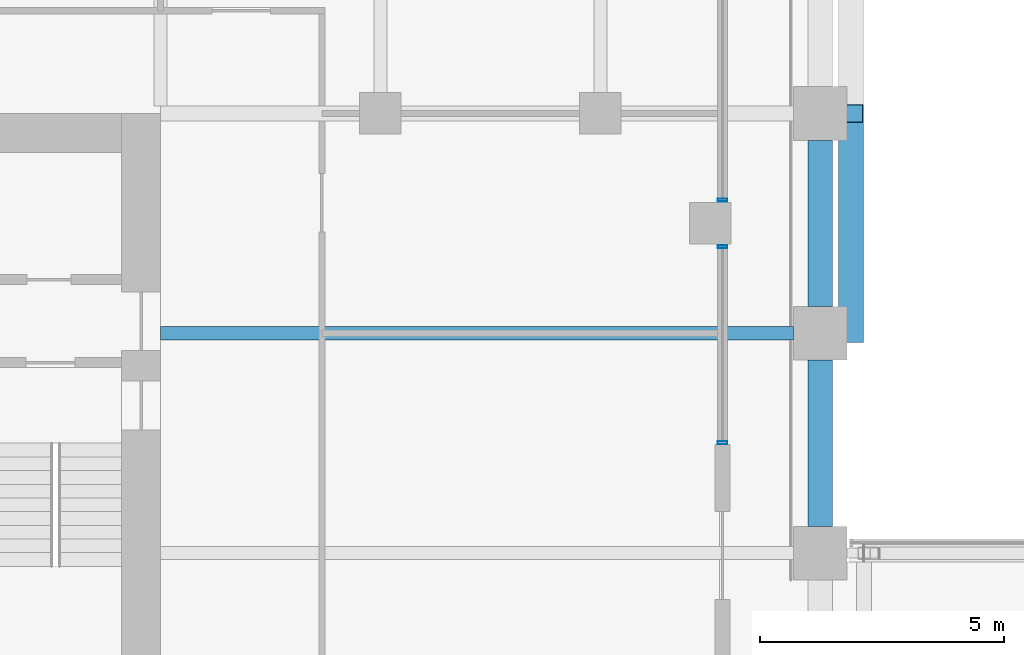
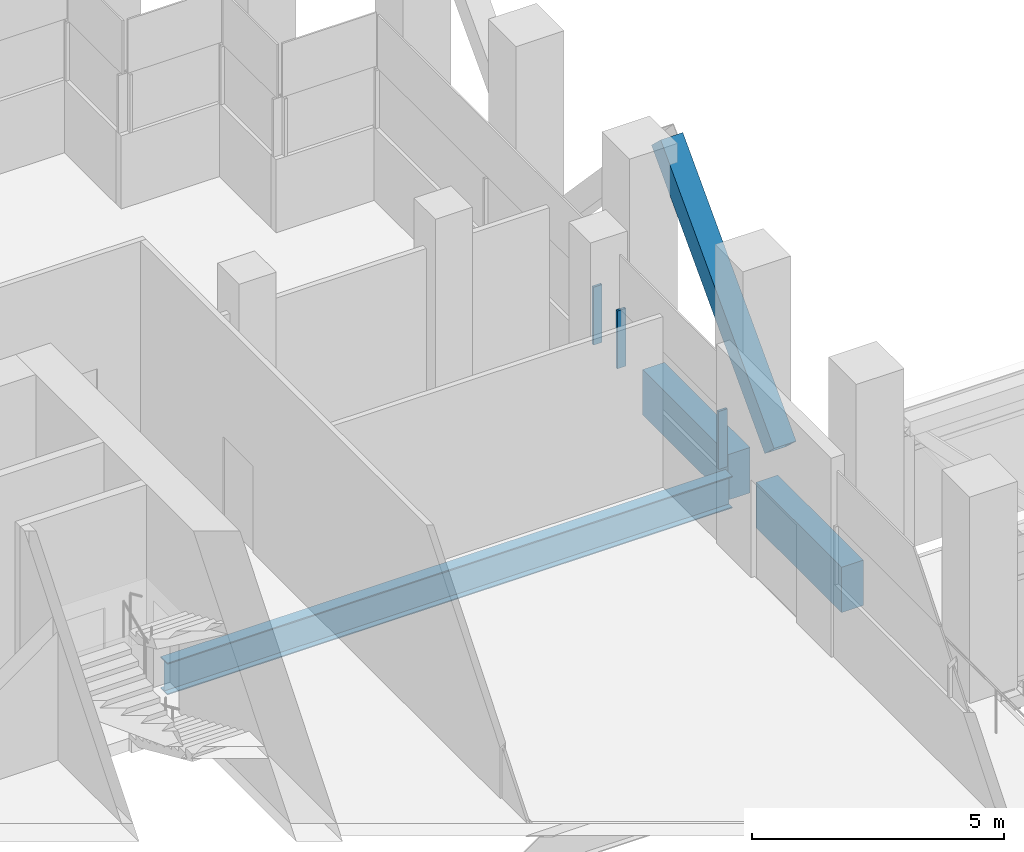
# One storey, part 14 of 44: 4 members, 3 beams, 2 elements without a shape of their own.
"""IFC4 building model written with IfcOpenShell, lengths in metres."""

from ifc_helpers import new_model, si_unit, direction, frame, origin, origin_2d, place, context, subcontext, project, spatial, rectangle, hollow_rectangle, i_section, extrude, material, material_profile, profile_set, type_object, element, aggregate, save


model = new_model("IFC4")

# Units and contexts
model_context = context("Model", 3, precision=1e-05, world=origin(), true_north=direction((0.0, 1.0)))
body_context = subcontext(model_context, "Body", "Model", "MODEL_VIEW")
ifc_project = project(units=[si_unit("LENGTHUNIT", "METRE"), si_unit("AREAUNIT", "SQUARE_METRE"), si_unit("VOLUMEUNIT", "CUBIC_METRE"), si_unit("PLANEANGLEUNIT", "RADIAN"), si_unit("MASSUNIT", "GRAM", prefix="KILO")], contexts=[model_context])

# Site, building, storey
site_placement = place(None, origin())
site = spatial("IfcSite", under=ifc_project, at=site_placement, CompositionType="ELEMENT")
building_placement = place(site_placement, origin())
building = spatial("IfcBuilding", under=site, at=building_placement, Name="Altepetl Exchange Towers", CompositionType="ELEMENT")
storey_placement = place(building_placement, frame((0.0, 0.0, 87.0)))
storey = spatial("IfcBuildingStorey", under=building, at=storey_placement, Name="L21 Refuge", CompositionType="ELEMENT", Elevation=87.0)

# Member
ifc_material_1 = material(Name="Steel S355", Category="steel")
ifc_material_profile_1 = material_profile(ifc_material_1, hollow_rectangle(XDim=0.508056640625, YDim=0.508056640625, WallThickness=0.017578125, at=origin_2d()), Name="HSS508X508X19.0")
ifc_profile_set_1 = profile_set([ifc_material_profile_1], Name="Steel S355")
member_type_1 = type_object("IfcMemberType", Name="Belt diagonal HSS508X508X19.0", PredefinedType="BRACE", material=ifc_profile_set_1)
member_1_placement = place(storey_placement, frame((72.6298828125, 54.0, 0.0), z_axis=(0.0, 0.687744647911, 0.725952683906), x_axis=(-1.0, 0.0, 0.0)))
element("IfcMember", 1, at=member_1_placement, inside=storey, type_object=member_type_1, Name="brc:A:L21:010", PredefinedType="BRACE", context=body_context, shape_type="SweptSolid", body=[
    extrude(hollow_rectangle(XDim=0.508056640625, YDim=0.508056640625, WallThickness=0.017578125, at=origin_2d()), origin(), (0.0, 0.0, 1.0), 6.543212890625),
])

# Beam
ifc_material_profile_2 = material_profile(ifc_material_1, i_section(OverallWidth=0.26806640625, OverallDepth=0.77392578125, WebThickness=0.015380859375, FlangeThickness=0.025390625, at=origin_2d()), Name="W30X132")
ifc_profile_set_2 = profile_set([ifc_material_profile_2], Name="Steel S355")
beam_type_1 = type_object("IfcBeamType", Name="Floor beam W30X132", PredefinedType="BEAM", material=ifc_profile_set_2)
beam_placement = place(storey_placement, frame((58.5, 54.0, -0.5869140625), z_axis=(1.0, 0.0, 0.0), x_axis=(0.0, 1.0, 0.0)))
element("IfcBeam", 2, at=beam_placement, inside=storey, type_object=beam_type_1, Name="bm:A:L21:011", PredefinedType="BEAM", context=body_context, shape_type="SweptSolid", body=[
    extrude(i_section(OverallWidth=0.26806640625, OverallDepth=0.77392578125, WebThickness=0.015380859375, FlangeThickness=0.025390625, at=origin_2d()), origin(), (0.0, 0.0, 1.0), 12.949951171875),
])

# Curtain wall, members
ifc_material_2 = material(Name="Aluminium 6063-T6 glazing", Category="aluminium")
curtain_wall_type = type_object("IfcCurtainWallType", Name="Refuge slit glazing system", PredefinedType="NOTDEFINED", material=ifc_material_2)
curtain_wall_1_placement = place(storey_placement, origin())
curtain_wall_1 = element("IfcCurtainWall", 3, at=curtain_wall_1_placement, inside=storey, type_object=curtain_wall_type, Name="CW3 run", PredefinedType="NOTDEFINED")
ifc_material_3 = material(Name="Aluminium 6063-T6", Category="aluminium")
ifc_material_profile_3 = material_profile(ifc_material_3, hollow_rectangle(XDim=0.06005859375, YDim=0.199951171875, WallThickness=0.0029296875, at=origin_2d()), Name="Mullion 60x200 aluminium")
ifc_profile_set_3 = profile_set([ifc_material_profile_3], Name="Aluminium 6063-T6")
member_type_2 = type_object("IfcMemberType", Name="Mullion 60x200 aluminium", PredefinedType="MULLION", material=ifc_profile_set_3)
member_2_placement = place(storey_placement, frame((70.0, 51.758544921875, 1.800048828125), z_axis=(0.0, 0.0, 1.0), x_axis=(0.0, 1.0, 0.0)))
member_2 = element("IfcMember", 4, at=member_2_placement, type_object=member_type_2, Name="MU2 mullion", PredefinedType="MULLION", context=body_context, shape_type="SweptSolid", body=[
    extrude(hollow_rectangle(XDim=0.06005859375, YDim=0.199951171875, WallThickness=0.0029296875, at=origin_2d()), origin(), (0.0, 0.0, 1.0), 1.39990234375),
])
member_3_placement = place(storey_placement, frame((70.0, 55.77490234375, 1.800048828125), z_axis=(0.0, 0.0, 1.0), x_axis=(0.0, 1.0, 0.0)))
member_3 = element("IfcMember", 5, at=member_3_placement, type_object=member_type_2, Name="MU2 mullion", PredefinedType="MULLION", context=body_context, shape_type="SweptSolid", body=[
    extrude(hollow_rectangle(XDim=0.06005859375, YDim=0.199951171875, WallThickness=0.0029296875, at=origin_2d()), origin(), (0.0, 0.0, 1.0), 1.39990234375),
])
aggregate(curtain_wall_1, [member_2, member_3])

# Curtain wall, member
curtain_wall_2_placement = place(storey_placement, origin())
curtain_wall_2 = element("IfcCurtainWall", 6, at=curtain_wall_2_placement, inside=storey, type_object=curtain_wall_type, Name="CW3 run", PredefinedType="NOTDEFINED")
member_4_placement = place(storey_placement, frame((70.0, 56.72509765625, 1.800048828125), z_axis=(0.0, 0.0, 1.0), x_axis=(0.0, 1.0, 0.0)))
member_4 = element("IfcMember", 7, at=member_4_placement, type_object=member_type_2, Name="MU2 mullion", PredefinedType="MULLION", context=body_context, shape_type="SweptSolid", body=[
    extrude(hollow_rectangle(XDim=0.06005859375, YDim=0.199951171875, WallThickness=0.0029296875, at=origin_2d()), origin(), (0.0, 0.0, 1.0), 1.39990234375),
])
aggregate(curtain_wall_2, [member_4])

# Beams
ifc_material_4 = material(Name="Concrete C50/60 precast with cantera amarilla facing", Category="concrete")
ifc_material_profile_4 = material_profile(ifc_material_4, rectangle(XDim=0.5, YDim=1.10009765625, at=origin_2d()), Name="500 x 1100")
ifc_profile_set_4 = profile_set([ifc_material_profile_4], Name="Concrete C50/60 precast with cantera amarilla facing")
beam_type_2 = type_object("IfcBeamType", Name="Spandrel beam 500x1100 cantera amarilla", PredefinedType="SPANDREL", material=ifc_profile_set_4)
for number, where, z_axis, x_axis, name in (
    (8, (72.0, 50.050048828125, -0.75), (0.0, 1.0, 0.0), (-1.0, 0.0, 0.0), "sp:A:L21:016"),
    (9, (72.0, 54.550048828125, -0.75), (0.0, 1.0, 0.0), (-1.0, 0.0, 0.0), "sp:A:L21:017"),
):
    element("IfcBeam", number, at=place(storey_placement, frame(where, z_axis=z_axis, x_axis=x_axis)), inside=storey, type_object=beam_type_2, Name=name, PredefinedType="SPANDREL", context=body_context, shape_type="SweptSolid", body=[
        extrude(rectangle(XDim=0.5, YDim=1.10009765625, at=origin_2d()), origin(), (0.0, 0.0, 1.0), 3.39990234375),
    ])

save(model, "model.ifc")
